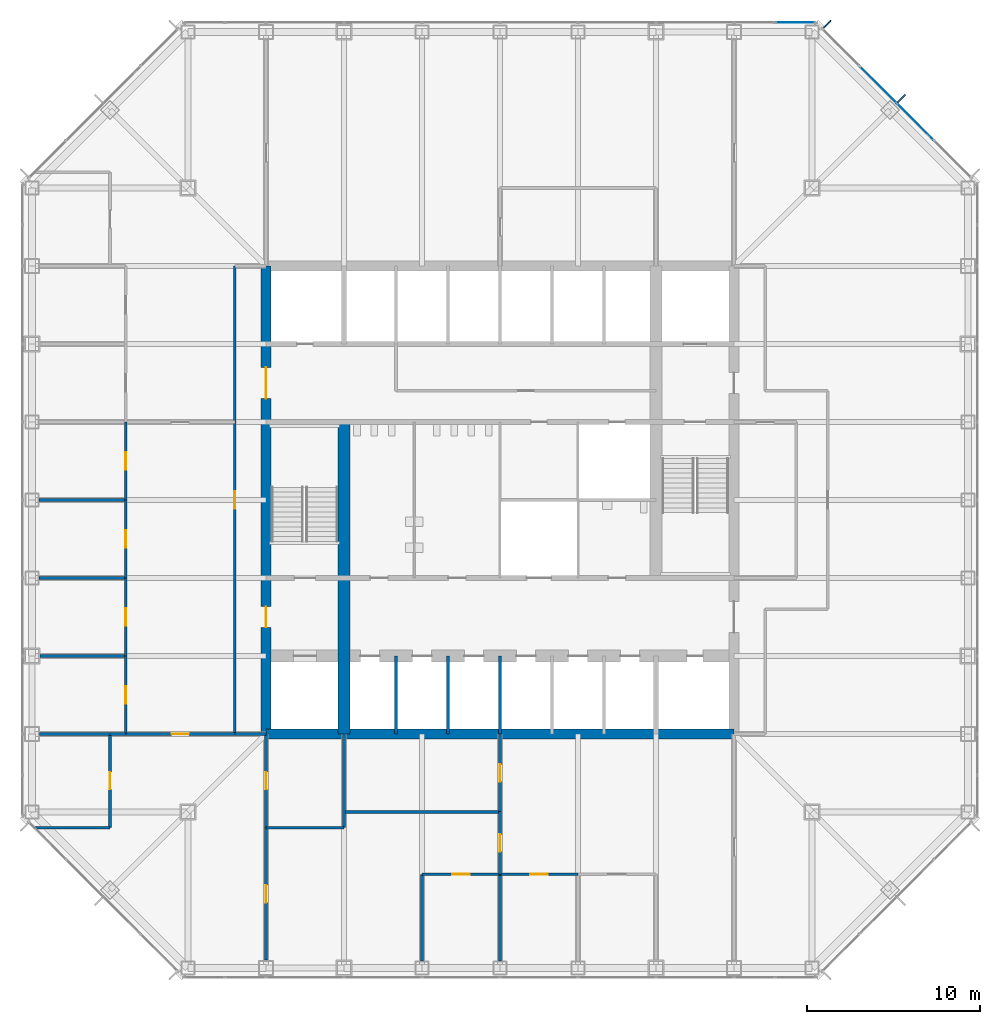
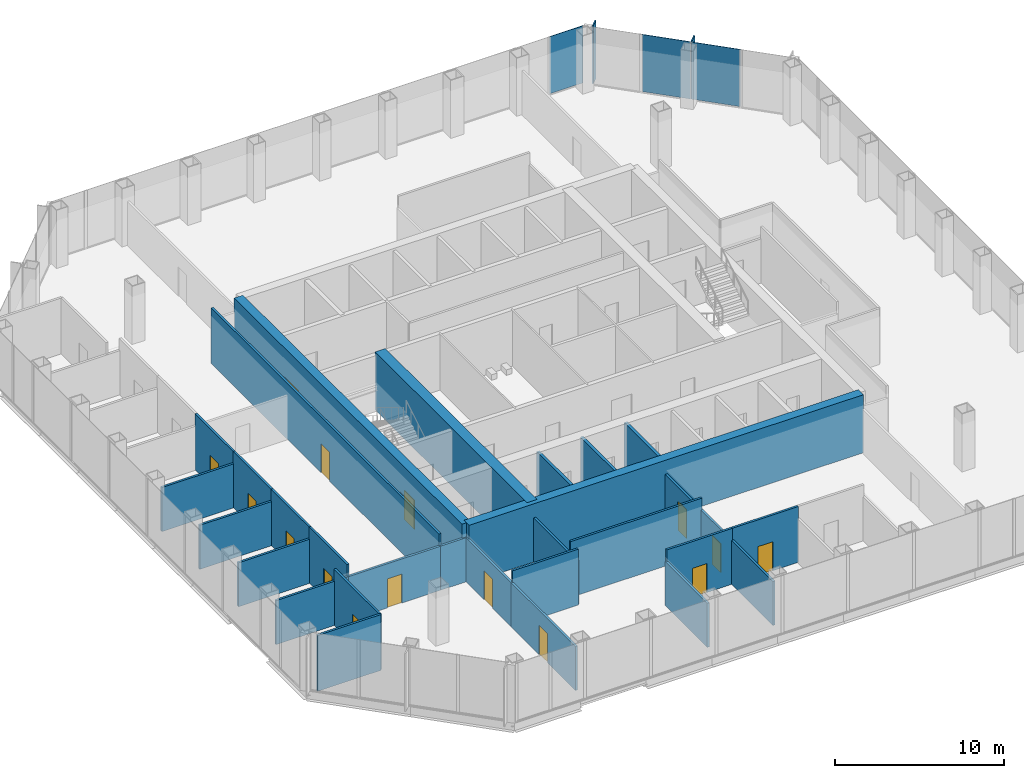
# One storey, part 8 of 12: 31 walls, 15 doors, 5 plates, 15 openings, 2 elements without a shape of their own.
"""IFC4 building model written with IfcOpenShell, lengths in metres."""

from ifc_helpers import new_model, si_unit, direction, frame, frame_2d, origin, origin_2d, place, context, subcontext, project, spatial, rectangle, extrude, material, layer, layer_set, type_object, element, fill, aggregate, save


model = new_model("IFC4")

# Units and contexts
model_context = context("Model", 3, precision=1e-05, world=origin(), true_north=direction((0.0, 1.0)))
body_context = subcontext(model_context, "Body", "Model", "MODEL_VIEW")
ifc_project = project(units=[si_unit("LENGTHUNIT", "METRE"), si_unit("AREAUNIT", "SQUARE_METRE"), si_unit("VOLUMEUNIT", "CUBIC_METRE"), si_unit("PLANEANGLEUNIT", "RADIAN"), si_unit("MASSUNIT", "GRAM", prefix="KILO")], contexts=[model_context])

# Site, building, storey
site_placement = place(None, origin())
site = spatial("IfcSite", under=ifc_project, at=site_placement, CompositionType="ELEMENT")
building_placement = place(site_placement, origin())
building = spatial("IfcBuilding", under=site, at=building_placement, Name="Corais Broadcast Tower", CompositionType="ELEMENT")
storey_placement = place(building_placement, frame((0.0, 0.0, 92.0)))
storey = spatial("IfcBuildingStorey", under=building, at=storey_placement, Name="L20", CompositionType="ELEMENT", Elevation=92.0)

# Curtain wall, plate
ifc_material_1 = material(Name="Aluminium and glass", Category="aluminium")
curtain_wall_type = type_object("IfcCurtainWallType", Name="Unitised fritted curtain wall CW1", PredefinedType="NOTDEFINED", material=ifc_material_1)
curtain_wall_1_placement = place(storey_placement, origin())
curtain_wall_1 = element("IfcCurtainWall", 1, at=curtain_wall_1_placement, inside=storey, type_object=curtain_wall_type, Name="CW1 curtain wall L20 5", PredefinedType="NOTDEFINED")
ifc_material_2 = material(Name="Ceramic-fritted laminated glass", Category="glass")
ifc_layer_1 = layer(ifc_material_2, 0.030029296875)
ifc_layer_set_1 = layer_set([ifc_layer_1], Name="Ceramic-fritted laminated glass")
plate_type_1 = type_object("IfcPlateType", Name="Fritted glass panel CW1", PredefinedType="CURTAIN_PANEL", material=ifc_layer_set_1)
plate_1_placement = place(storey_placement, frame((50.9658203125, 48.81201171875, 0.06494140625), z_axis=(0.0, 0.0, 1.0), x_axis=(0.707106781187, -0.707106781187, 0.0)))
plate_1 = element("IfcPlate", 2, at=plate_1_placement, type_object=plate_type_1, Name="CW1 panel 3", PredefinedType="CURTAIN_PANEL", context=body_context, shape_type="SweptSolid", body=[
    extrude(rectangle(XDim=2.98095703125, YDim=0.030029296875, at=origin_2d()), origin(), (0.0, 0.0, 1.0), 4.135009765625),
])

curtain_wall_2_placement = place(storey_placement, origin())
curtain_wall_2 = element("IfcCurtainWall", 3, at=curtain_wall_2_placement, inside=storey, type_object=curtain_wall_type, Name="CW1 curtain wall L20 4", PredefinedType="NOTDEFINED")
ifc_material_3 = material(Name="Clear laminated glass", Category="glass")
ifc_layer_2 = layer(ifc_material_3, 0.033935546875)
ifc_layer_set_2 = layer_set([ifc_layer_2], Name="Clear laminated glass")
plate_type_2 = type_object("IfcPlateType", Name="Operable glass panel CW1", PredefinedType="CURTAIN_PANEL", material=ifc_layer_set_2)
plate_2_placement = place(storey_placement, frame((44.029541015625, 54.550048828125, 0.06494140625), z_axis=(0.0, 0.0, 1.0), x_axis=(1.0, 0.0, 0.0)))
plate_2 = element("IfcPlate", 4, at=plate_2_placement, type_object=plate_type_2, Name="CW1 operable panel 10", PredefinedType="CURTAIN_PANEL", context=body_context, shape_type="SweptSolid", body=[
    extrude(rectangle(XDim=2.266357421875, YDim=0.033935546875, at=origin_2d()), origin(), (0.0, 0.0, 1.0), 4.135009765625),
])
aggregate(curtain_wall_2, [plate_2])

# Plate
plate_3_placement = place(storey_placement, frame((48.81201171875, 50.9658203125, 0.06494140625), z_axis=(0.0, 0.0, 1.0), x_axis=(0.707106781187, -0.707106781187, 0.0)))
plate_3 = element("IfcPlate", 5, at=plate_3_placement, type_object=plate_type_2, Name="CW1 operable panel 2", PredefinedType="CURTAIN_PANEL", context=body_context, shape_type="SweptSolid", body=[
    extrude(rectangle(XDim=2.98095703125, YDim=0.033935546875, at=origin_2d()), origin(), (0.0, 0.0, 1.0), 4.135009765625),
])

aggregate(curtain_wall_1, [plate_3, plate_1])

# Plates
ifc_material_4 = material(Name="Granite stone cladding", Category="masonry")
ifc_layer_3 = layer(ifc_material_4, 0.080078125)
ifc_layer_set_3 = layer_set([ifc_layer_3], Name="Granite stone cladding")
plate_type_3 = type_object("IfcPlateType", Name="Stone screen fin 80x600", PredefinedType="USERDEFINED", material=ifc_layer_set_3)
for number, where, z_axis, x_axis, name in (
    (6, (45.885009765625, 54.4541015625, 0.0), (0.0, 0.0, 1.0), (0.707106781187, -0.707106781187, 0.0), "SF1 stone screen fin L20"),
    (7, (50.169677734375, 50.169677734375, 0.0), (0.0, 0.0, 1.0), (0.707106781187, -0.707106781187, 0.0), "SF1 stone screen fin L20"),
):
    element("IfcPlate", number, at=place(storey_placement, frame(where, z_axis=z_axis, x_axis=x_axis)), inside=storey, type_object=plate_type_3, Name=name, ObjectType="STONE SCREEN FIN", PredefinedType="USERDEFINED", context=body_context, shape_type="SweptSolid", body=[
        extrude(rectangle(XDim=0.080078125, YDim=0.60009765625, at=origin_2d()), origin(), (0.0, 0.0, 1.0), 4.199951171875),
    ])

# Walls
ifc_material_5 = material(Name="Concrete C50/60", Category="concrete")
ifc_layer_4 = layer(ifc_material_5, 0.699951171875)
ifc_layer_set_4 = layer_set([ifc_layer_4], Name="Concrete C50/60")
wall_type_1 = type_object("IfcWallType", Name="Core spine wall 700", PredefinedType="SHEAR", material=ifc_layer_set_4)
wall_1_placement = place(storey_placement, frame((18.0, 13.5, 0.0), z_axis=(0.0, 0.0, 1.0), x_axis=(0.0, 1.0, 0.0)))
element("IfcWall", 8, at=wall_1_placement, inside=storey, type_object=wall_type_1, Name="CR700 core wall X18A L20", PredefinedType="SHEAR", context=body_context, shape_type="SweptSolid", body=[
    extrude(rectangle(XDim=18.0, YDim=0.699951171875, at=frame_2d((9.0, 0.0))), origin(), (0.0, 0.0, 1.0), 4.199951171875),
])
ifc_material_6 = material(Name="Concrete C50/60", Category="concrete")
ifc_layer_5 = layer(ifc_material_6, 0.60009765625)
ifc_layer_set_5 = layer_set([ifc_layer_5], Name="Concrete C50/60")
wall_type_2 = type_object("IfcWallType", Name="Core wall 600", PredefinedType="SHEAR", material=ifc_layer_set_5)
wall_2_placement = place(storey_placement, frame((13.5, 13.5, 0.0), z_axis=(0.0, 0.0, 1.0), x_axis=(1.0, 0.0, 0.0)))
element("IfcWall", 9, at=wall_2_placement, inside=storey, type_object=wall_type_2, Name="CR600 core wall S L20", PredefinedType="SHEAR", context=body_context, shape_type="SweptSolid", body=[
    extrude(rectangle(XDim=27.0, YDim=0.60009765625, at=frame_2d((13.5, 0.0))), origin(), (0.0, 0.0, 1.0), 4.199951171875),
])

# Wall, openings, doors
wall_3_placement = place(storey_placement, frame((13.5, 40.5, 0.0), z_axis=(0.0, 0.0, 1.0), x_axis=(0.0, -1.0, 0.0)))
wall_3 = element("IfcWall", 10, at=wall_3_placement, inside=storey, type_object=wall_type_2, Name="CR600 core wall W L20", PredefinedType="SHEAR", context=body_context, shape_type="SweptSolid", body=[
    extrude(rectangle(XDim=27.0, YDim=0.60009765625, at=frame_2d((13.5, 0.0))), origin(), (0.0, 0.0, 1.0), 4.199951171875),
])
opening_1_placement = place(wall_3_placement, frame((19.64990234375, 0.0, 0.0)))
opening_1 = element("IfcOpeningElement", 11, at=opening_1_placement, cuts=wall_3, Name="Opening FD1", PredefinedType="OPENING", context=body_context, shape_type="SweptSolid", body=[
    extrude(rectangle(XDim=1.199951171875, YDim=2.10009765625, at=frame_2d((0.60009765625, 1.050048828125))), frame((0.0, 0.31005859375, 0.0), z_axis=(0.0, -1.0, 0.0), x_axis=(1.0, 0.0, 0.0)), (0.0, 0.0, 1.0), 0.6201171875),
])
opening_2_placement = place(wall_3_placement, frame((5.85009765625, 0.0, 0.0)))
opening_2 = element("IfcOpeningElement", 12, at=opening_2_placement, cuts=wall_3, Name="Opening FD2", PredefinedType="OPENING", context=body_context, shape_type="SweptSolid", body=[
    extrude(rectangle(XDim=1.800048828125, YDim=2.10009765625, at=frame_2d((0.89990234375, 1.050048828125))), frame((0.0, 0.31005859375, 0.0), z_axis=(0.0, -1.0, 0.0), x_axis=(1.0, 0.0, 0.0)), (0.0, 0.0, 1.0), 0.6201171875),
])
ifc_material_7 = material(Name="Steel fire door", Category="steel")
door_type_1 = type_object("IfcDoorType", Name="Fire door 1200x2100", OperationType="SINGLE_SWING_LEFT", PredefinedType="DOOR", material=ifc_material_7)
door_1_placement = place(opening_1_placement, origin())
door_1 = element("IfcDoor", 13, at=door_1_placement, inside=storey, type_object=door_type_1, Name="FD1 fire lobby A door L20", OperationType="SINGLE_SWING_RIGHT", OverallHeight=2.10009765625, OverallWidth=1.199951171875, PredefinedType="DOOR", context=body_context, shape_type="SweptSolid", body=[
    extrude(rectangle(XDim=1.199951171875, YDim=2.10009765625, at=frame_2d((0.60009765625, 1.050048828125))), frame((0.0, 0.02490234375, 0.0), z_axis=(0.0, -1.0, 0.0), x_axis=(1.0, 0.0, 0.0)), (0.0, 0.0, 1.0), 0.050048828125),
])
fill(opening_1, door_1)
ifc_material_8 = material(Name="Steel fire door", Category="steel")
door_type_2 = type_object("IfcDoorType", Name="Fire door pair 1800x2100", OperationType="DOUBLE_DOOR_SINGLE_SWING", PredefinedType="DOOR", material=ifc_material_8)
door_2_placement = place(opening_2_placement, origin())
door_2 = element("IfcDoor", 14, at=door_2_placement, inside=storey, type_object=door_type_2, Name="FD2 lift lobby door L20", OperationType="SINGLE_SWING_LEFT", OverallHeight=2.10009765625, OverallWidth=1.800048828125, PredefinedType="DOOR", context=body_context, shape_type="SweptSolid", body=[
    extrude(rectangle(XDim=1.800048828125, YDim=2.10009765625, at=frame_2d((0.89990234375, 1.050048828125))), frame((0.0, 0.02490234375, 0.0), z_axis=(0.0, -1.0, 0.0), x_axis=(1.0, 0.0, 0.0)), (0.0, 0.0, 1.0), 0.050048828125),
])
fill(opening_2, door_2)

# Wall, opening, door
ifc_material_9 = material(Name="Gypsum board on steel studs", Category="steel")
ifc_layer_6 = layer(ifc_material_9, 0.14990234375)
ifc_layer_set_6 = layer_set([ifc_layer_6], Name="Gypsum board on steel studs")
wall_type_3 = type_object("IfcWallType", Name="Partition 150", PredefinedType="PARTITIONING", material=ifc_layer_set_6)
wall_4_placement = place(storey_placement, frame((11.699951171875, 40.5, 0.0), z_axis=(0.0, 0.0, 1.0), x_axis=(0.0, -1.0, 0.0)))
wall_4 = element("IfcWall", 15, at=wall_4_placement, inside=storey, type_object=wall_type_3, Name="IW3 corridor wall L20", PredefinedType="PARTITIONING", context=body_context, shape_type="SweptSolid", body=[
    extrude(rectangle(XDim=27.0, YDim=0.14990234375, at=frame_2d((13.5, 0.0))), origin(), (0.0, 0.0, 1.0), 4.0400390625),
])
opening_3_placement = place(wall_4_placement, frame((13.0, 0.0, 0.0)))
opening_3 = element("IfcOpeningElement", 16, at=opening_3_placement, cuts=wall_4, Name="Opening D1", PredefinedType="OPENING", context=body_context, shape_type="SweptSolid", body=[
    extrude(rectangle(XDim=1.0, YDim=2.10009765625, at=frame_2d((0.5, 1.050048828125))), frame((0.0, 0.0849609375, 0.0), z_axis=(0.0, -1.0, 0.0), x_axis=(1.0, 0.0, 0.0)), (0.0, 0.0, 1.0), 0.169921875),
])
ifc_material_10 = material(Name="Timber door", Category="wood")
door_type_3 = type_object("IfcDoorType", Name="Single door 1000x2100", OperationType="SINGLE_SWING_LEFT", PredefinedType="DOOR", material=ifc_material_10)
door_3_placement = place(opening_3_placement, origin())
door_3 = element("IfcDoor", 17, at=door_3_placement, inside=storey, type_object=door_type_3, Name="D1 workplace door L20", OperationType="SINGLE_SWING_LEFT", OverallHeight=2.10009765625, OverallWidth=1.0, PredefinedType="DOOR", context=body_context, shape_type="SweptSolid", body=[
    extrude(rectangle(XDim=1.0, YDim=2.10009765625, at=frame_2d((0.5, 1.050048828125))), frame((0.0, 0.02490234375, 0.0), z_axis=(0.0, -1.0, 0.0), x_axis=(1.0, 0.0, 0.0)), (0.0, 0.0, 1.0), 0.050048828125),
])
fill(opening_3, door_3)

# Walls
wall_5_placement = place(storey_placement, frame((11.699951171875, 13.5, 0.0), z_axis=(0.0, 0.0, 1.0), x_axis=(1.0, 0.0, 0.0)))
element("IfcWall", 18, at=wall_5_placement, inside=storey, type_object=wall_type_3, Name="IW3 corridor wall L20", PredefinedType="PARTITIONING", context=body_context, shape_type="SweptSolid", body=[
    extrude(rectangle(XDim=1.800048828125, YDim=0.14990234375, at=frame_2d((0.89990234375, 0.0))), origin(), (0.0, 0.0, 1.0), 3.18896484375),
])
wall_6_placement = place(storey_placement, frame((0.16455078125, 8.10009765625, 0.0), z_axis=(0.0, 0.0, 1.0), x_axis=(1.0, 0.0, 0.0)))
element("IfcWall", 19, at=wall_6_placement, inside=storey, type_object=wall_type_3, Name="IW3 partition L20", PredefinedType="PARTITIONING", context=body_context, shape_type="SweptSolid", body=[
    extrude(rectangle(XDim=4.33544921875, YDim=0.14990234375, at=frame_2d((2.167724609375, 0.0))), origin(), (0.0, 0.0, 1.0), 4.0400390625),
])

# Wall, opening, door
wall_7_placement = place(storey_placement, frame((4.5, 8.10009765625, 0.0), z_axis=(0.0, 0.0, 1.0), x_axis=(0.0, 1.0, 0.0)))
wall_7 = element("IfcWall", 20, at=wall_7_placement, inside=storey, type_object=wall_type_3, Name="IW3 partition L20", PredefinedType="PARTITIONING", context=body_context, shape_type="SweptSolid", body=[
    extrude(rectangle(XDim=5.39990234375, YDim=0.14990234375, at=frame_2d((2.699951171875, 0.0))), origin(), (0.0, 0.0, 1.0), 4.0400390625),
])
opening_4_placement = place(wall_7_placement, frame((2.199951171875, 0.0, 0.0)))
opening_4 = element("IfcOpeningElement", 21, at=opening_4_placement, cuts=wall_7, Name="Opening D1", PredefinedType="OPENING", context=body_context, shape_type="SweptSolid", body=[
    extrude(rectangle(XDim=1.0, YDim=2.10009765625, at=frame_2d((0.5, 1.050048828125))), frame((0.0, 0.0849609375, 0.0), z_axis=(0.0, -1.0, 0.0), x_axis=(1.0, 0.0, 0.0)), (0.0, 0.0, 1.0), 0.169921875),
])
door_4_placement = place(opening_4_placement, origin())
door_4 = element("IfcDoor", 22, at=door_4_placement, inside=storey, type_object=door_type_3, Name="D1 Office door", OperationType="SINGLE_SWING_LEFT", OverallHeight=2.10009765625, OverallWidth=1.0, PredefinedType="DOOR", context=body_context, shape_type="SweptSolid", body=[
    extrude(rectangle(XDim=1.0, YDim=2.10009765625, at=frame_2d((0.5, 1.050048828125))), frame((0.0, 0.02490234375, 0.0), z_axis=(0.0, -1.0, 0.0), x_axis=(1.0, 0.0, 0.0)), (0.0, 0.0, 1.0), 0.050048828125),
])
fill(opening_4, door_4)

# Walls
wall_8_placement = place(storey_placement, frame((4.5, 13.5, 0.0), z_axis=(0.0, 0.0, 1.0), x_axis=(-1.0, 0.0, 0.0)))
element("IfcWall", 23, at=wall_8_placement, inside=storey, type_object=wall_type_3, Name="IW3 partition L20", PredefinedType="PARTITIONING", context=body_context, shape_type="SweptSolid", body=[
    extrude(rectangle(XDim=4.06494140625, YDim=0.14990234375, at=frame_2d((2.032470703125, 0.0))), origin(), (0.0, 0.0, 1.0), 3.18896484375),
])
wall_9_placement = place(storey_placement, frame((4.5, 13.5, 0.0), z_axis=(0.0, 0.0, 1.0), x_axis=(1.0, 0.0, 0.0)))
element("IfcWall", 24, at=wall_9_placement, inside=storey, type_object=wall_type_3, Name="IW3 partition L20", PredefinedType="PARTITIONING", context=body_context, shape_type="SweptSolid", body=[
    extrude(rectangle(XDim=0.89990234375, YDim=0.14990234375, at=frame_2d((0.449951171875, 0.0))), origin(), (0.0, 0.0, 1.0), 3.18896484375),
])

# Wall, opening, door
wall_10_placement = place(storey_placement, frame((5.39990234375, 13.5, 0.0), z_axis=(0.0, 0.0, 1.0), x_axis=(0.0, 1.0, 0.0)))
wall_10 = element("IfcWall", 25, at=wall_10_placement, inside=storey, type_object=wall_type_3, Name="IW3 partition L20", PredefinedType="PARTITIONING", context=body_context, shape_type="SweptSolid", body=[
    extrude(rectangle(XDim=4.5, YDim=0.14990234375, at=frame_2d((2.25, 0.0))), origin(), (0.0, 0.0, 1.0), 4.0400390625),
])
opening_5_placement = place(wall_10_placement, frame((1.75, 0.0, 0.0)))
opening_5 = element("IfcOpeningElement", 26, at=opening_5_placement, cuts=wall_10, Name="Opening D1", PredefinedType="OPENING", context=body_context, shape_type="SweptSolid", body=[
    extrude(rectangle(XDim=1.0, YDim=2.10009765625, at=frame_2d((0.5, 1.050048828125))), frame((0.0, 0.0849609375, 0.0), z_axis=(0.0, -1.0, 0.0), x_axis=(1.0, 0.0, 0.0)), (0.0, 0.0, 1.0), 0.169921875),
])
door_5_placement = place(opening_5_placement, origin())
door_5 = element("IfcDoor", 27, at=door_5_placement, inside=storey, type_object=door_type_3, Name="D1 Office door", OperationType="SINGLE_SWING_LEFT", OverallHeight=2.10009765625, OverallWidth=1.0, PredefinedType="DOOR", context=body_context, shape_type="SweptSolid", body=[
    extrude(rectangle(XDim=1.0, YDim=2.10009765625, at=frame_2d((0.5, 1.050048828125))), frame((0.0, 0.02490234375, 0.0), z_axis=(0.0, -1.0, 0.0), x_axis=(1.0, 0.0, 0.0)), (0.0, 0.0, 1.0), 0.050048828125),
])
fill(opening_5, door_5)

# Wall
wall_11_placement = place(storey_placement, frame((5.39990234375, 18.0, 0.0), z_axis=(0.0, 0.0, 1.0), x_axis=(-1.0, 0.0, 0.0)))
element("IfcWall", 28, at=wall_11_placement, inside=storey, type_object=wall_type_3, Name="IW3 partition L20", PredefinedType="PARTITIONING", context=body_context, shape_type="SweptSolid", body=[
    extrude(rectangle(XDim=4.93994140625, YDim=0.14990234375, at=frame_2d((2.469970703125, 0.0))), origin(), (0.0, 0.0, 1.0), 3.18896484375),
])

# Wall, opening, door
wall_12_placement = place(storey_placement, frame((5.39990234375, 18.0, 0.0), z_axis=(0.0, 0.0, 1.0), x_axis=(0.0, 1.0, 0.0)))
wall_12 = element("IfcWall", 29, at=wall_12_placement, inside=storey, type_object=wall_type_3, Name="IW3 partition L20", PredefinedType="PARTITIONING", context=body_context, shape_type="SweptSolid", body=[
    extrude(rectangle(XDim=4.5, YDim=0.14990234375, at=frame_2d((2.25, 0.0))), origin(), (0.0, 0.0, 1.0), 4.0400390625),
])
opening_6_placement = place(wall_12_placement, frame((1.75, 0.0, 0.0)))
opening_6 = element("IfcOpeningElement", 30, at=opening_6_placement, cuts=wall_12, Name="Opening D1", PredefinedType="OPENING", context=body_context, shape_type="SweptSolid", body=[
    extrude(rectangle(XDim=1.0, YDim=2.10009765625, at=frame_2d((0.5, 1.050048828125))), frame((0.0, 0.0849609375, 0.0), z_axis=(0.0, -1.0, 0.0), x_axis=(1.0, 0.0, 0.0)), (0.0, 0.0, 1.0), 0.169921875),
])
door_6_placement = place(opening_6_placement, origin())
door_6 = element("IfcDoor", 31, at=door_6_placement, inside=storey, type_object=door_type_3, Name="D1 Office door", OperationType="SINGLE_SWING_LEFT", OverallHeight=2.10009765625, OverallWidth=1.0, PredefinedType="DOOR", context=body_context, shape_type="SweptSolid", body=[
    extrude(rectangle(XDim=1.0, YDim=2.10009765625, at=frame_2d((0.5, 1.050048828125))), frame((0.0, 0.02490234375, 0.0), z_axis=(0.0, -1.0, 0.0), x_axis=(1.0, 0.0, 0.0)), (0.0, 0.0, 1.0), 0.050048828125),
])
fill(opening_6, door_6)

# Wall
wall_13_placement = place(storey_placement, frame((5.39990234375, 22.5, 0.0), z_axis=(0.0, 0.0, 1.0), x_axis=(-1.0, 0.0, 0.0)))
element("IfcWall", 32, at=wall_13_placement, inside=storey, type_object=wall_type_3, Name="IW3 partition L20", PredefinedType="PARTITIONING", context=body_context, shape_type="SweptSolid", body=[
    extrude(rectangle(XDim=4.989990234375, YDim=0.14990234375, at=frame_2d((2.4951171875, 0.0))), origin(), (0.0, 0.0, 1.0), 3.18896484375),
])

# Wall, opening, door
wall_14_placement = place(storey_placement, frame((5.39990234375, 22.5, 0.0), z_axis=(0.0, 0.0, 1.0), x_axis=(0.0, 1.0, 0.0)))
wall_14 = element("IfcWall", 33, at=wall_14_placement, inside=storey, type_object=wall_type_3, Name="IW3 partition L20", PredefinedType="PARTITIONING", context=body_context, shape_type="SweptSolid", body=[
    extrude(rectangle(XDim=4.5, YDim=0.14990234375, at=frame_2d((2.25, 0.0))), origin(), (0.0, 0.0, 1.0), 4.0400390625),
])
opening_7_placement = place(wall_14_placement, frame((1.75, 0.0, 0.0)))
opening_7 = element("IfcOpeningElement", 34, at=opening_7_placement, cuts=wall_14, Name="Opening D1", PredefinedType="OPENING", context=body_context, shape_type="SweptSolid", body=[
    extrude(rectangle(XDim=1.0, YDim=2.10009765625, at=frame_2d((0.5, 1.050048828125))), frame((0.0, 0.0849609375, 0.0), z_axis=(0.0, -1.0, 0.0), x_axis=(1.0, 0.0, 0.0)), (0.0, 0.0, 1.0), 0.169921875),
])
door_7_placement = place(opening_7_placement, origin())
door_7 = element("IfcDoor", 35, at=door_7_placement, inside=storey, type_object=door_type_3, Name="D1 Office door", OperationType="SINGLE_SWING_LEFT", OverallHeight=2.10009765625, OverallWidth=1.0, PredefinedType="DOOR", context=body_context, shape_type="SweptSolid", body=[
    extrude(rectangle(XDim=1.0, YDim=2.10009765625, at=frame_2d((0.5, 1.050048828125))), frame((0.0, 0.02490234375, 0.0), z_axis=(0.0, -1.0, 0.0), x_axis=(1.0, 0.0, 0.0)), (0.0, 0.0, 1.0), 0.050048828125),
])
fill(opening_7, door_7)

# Wall
wall_15_placement = place(storey_placement, frame((5.39990234375, 27.0, 0.0), z_axis=(0.0, 0.0, 1.0), x_axis=(-1.0, 0.0, 0.0)))
element("IfcWall", 36, at=wall_15_placement, inside=storey, type_object=wall_type_3, Name="IW3 partition L20", PredefinedType="PARTITIONING", context=body_context, shape_type="SweptSolid", body=[
    extrude(rectangle(XDim=4.989990234375, YDim=0.14990234375, at=frame_2d((2.4951171875, 0.0))), origin(), (0.0, 0.0, 1.0), 3.18896484375),
])

# Wall, opening, door
wall_16_placement = place(storey_placement, frame((5.39990234375, 27.0, 0.0), z_axis=(0.0, 0.0, 1.0), x_axis=(0.0, 1.0, 0.0)))
wall_16 = element("IfcWall", 37, at=wall_16_placement, inside=storey, type_object=wall_type_3, Name="IW3 partition L20", PredefinedType="PARTITIONING", context=body_context, shape_type="SweptSolid", body=[
    extrude(rectangle(XDim=4.5, YDim=0.14990234375, at=frame_2d((2.25, 0.0))), origin(), (0.0, 0.0, 1.0), 4.0400390625),
])
opening_8_placement = place(wall_16_placement, frame((1.75, 0.0, 0.0)))
opening_8 = element("IfcOpeningElement", 38, at=opening_8_placement, cuts=wall_16, Name="Opening D1", PredefinedType="OPENING", context=body_context, shape_type="SweptSolid", body=[
    extrude(rectangle(XDim=1.0, YDim=2.10009765625, at=frame_2d((0.5, 1.050048828125))), frame((0.0, 0.0849609375, 0.0), z_axis=(0.0, -1.0, 0.0), x_axis=(1.0, 0.0, 0.0)), (0.0, 0.0, 1.0), 0.169921875),
])
door_8_placement = place(opening_8_placement, origin())
door_8 = element("IfcDoor", 39, at=door_8_placement, inside=storey, type_object=door_type_3, Name="D1 Office door", OperationType="SINGLE_SWING_LEFT", OverallHeight=2.10009765625, OverallWidth=1.0, PredefinedType="DOOR", context=body_context, shape_type="SweptSolid", body=[
    extrude(rectangle(XDim=1.0, YDim=2.10009765625, at=frame_2d((0.5, 1.050048828125))), frame((0.0, 0.02490234375, 0.0), z_axis=(0.0, -1.0, 0.0), x_axis=(1.0, 0.0, 0.0)), (0.0, 0.0, 1.0), 0.050048828125),
])
fill(opening_8, door_8)

# Wall
wall_17_placement = place(storey_placement, frame((27.0, 0.409912109375, 0.0), z_axis=(0.0, 0.0, 1.0), x_axis=(0.0, 1.0, 0.0)))
element("IfcWall", 40, at=wall_17_placement, inside=storey, type_object=wall_type_3, Name="IW3 partition L20", PredefinedType="PARTITIONING", context=body_context, shape_type="SweptSolid", body=[
    extrude(rectangle(XDim=4.989990234375, YDim=0.14990234375, at=frame_2d((2.4951171875, 0.0))), origin(), (0.0, 0.0, 1.0), 3.18896484375),
])

# Wall, opening, door
wall_18_placement = place(storey_placement, frame((27.0, 5.39990234375, 0.0), z_axis=(0.0, 0.0, 1.0), x_axis=(-1.0, 0.0, 0.0)))
wall_18 = element("IfcWall", 41, at=wall_18_placement, inside=storey, type_object=wall_type_3, Name="IW3 partition L20", PredefinedType="PARTITIONING", context=body_context, shape_type="SweptSolid", body=[
    extrude(rectangle(XDim=4.5, YDim=0.14990234375, at=frame_2d((2.25, 0.0))), origin(), (0.0, 0.0, 1.0), 4.0400390625),
])
opening_9_placement = place(wall_18_placement, frame((1.75, 0.0, 0.0)))
opening_9 = element("IfcOpeningElement", 42, at=opening_9_placement, cuts=wall_18, Name="Opening D1", PredefinedType="OPENING", context=body_context, shape_type="SweptSolid", body=[
    extrude(rectangle(XDim=1.0, YDim=2.10009765625, at=frame_2d((0.5, 1.050048828125))), frame((0.0, 0.0849609375, 0.0), z_axis=(0.0, -1.0, 0.0), x_axis=(1.0, 0.0, 0.0)), (0.0, 0.0, 1.0), 0.169921875),
])
door_9_placement = place(opening_9_placement, origin())
door_9 = element("IfcDoor", 43, at=door_9_placement, inside=storey, type_object=door_type_3, Name="D1 Interview room door", OperationType="SINGLE_SWING_LEFT", OverallHeight=2.10009765625, OverallWidth=1.0, PredefinedType="DOOR", context=body_context, shape_type="SweptSolid", body=[
    extrude(rectangle(XDim=1.0, YDim=2.10009765625, at=frame_2d((0.5, 1.050048828125))), frame((0.0, 0.02490234375, 0.0), z_axis=(0.0, -1.0, 0.0), x_axis=(1.0, 0.0, 0.0)), (0.0, 0.0, 1.0), 0.050048828125),
])
fill(opening_9, door_9)

# Wall
wall_19_placement = place(storey_placement, frame((22.5, 5.39990234375, 0.0), z_axis=(0.0, 0.0, 1.0), x_axis=(0.0, -1.0, 0.0)))
element("IfcWall", 44, at=wall_19_placement, inside=storey, type_object=wall_type_3, Name="IW3 partition L20", PredefinedType="PARTITIONING", context=body_context, shape_type="SweptSolid", body=[
    extrude(rectangle(XDim=4.989990234375, YDim=0.14990234375, at=frame_2d((2.4951171875, 0.0))), origin(), (0.0, 0.0, 1.0), 3.18896484375),
])

# Wall, opening, door
wall_20_placement = place(storey_placement, frame((31.5, 5.39990234375, 0.0), z_axis=(0.0, 0.0, 1.0), x_axis=(-1.0, 0.0, 0.0)))
wall_20 = element("IfcWall", 45, at=wall_20_placement, inside=storey, type_object=wall_type_3, Name="IW3 partition L20", PredefinedType="PARTITIONING", context=body_context, shape_type="SweptSolid", body=[
    extrude(rectangle(XDim=4.5, YDim=0.14990234375, at=frame_2d((2.25, 0.0))), origin(), (0.0, 0.0, 1.0), 4.0400390625),
])
opening_10_placement = place(wall_20_placement, frame((1.75, 0.0, 0.0)))
opening_10 = element("IfcOpeningElement", 46, at=opening_10_placement, cuts=wall_20, Name="Opening D1", PredefinedType="OPENING", context=body_context, shape_type="SweptSolid", body=[
    extrude(rectangle(XDim=1.0, YDim=2.10009765625, at=frame_2d((0.5, 1.050048828125))), frame((0.0, 0.0849609375, 0.0), z_axis=(0.0, -1.0, 0.0), x_axis=(1.0, 0.0, 0.0)), (0.0, 0.0, 1.0), 0.169921875),
])
door_10_placement = place(opening_10_placement, origin())
door_10 = element("IfcDoor", 47, at=door_10_placement, inside=storey, type_object=door_type_3, Name="D1 Interview room door", OperationType="SINGLE_SWING_LEFT", OverallHeight=2.10009765625, OverallWidth=1.0, PredefinedType="DOOR", context=body_context, shape_type="SweptSolid", body=[
    extrude(rectangle(XDim=1.0, YDim=2.10009765625, at=frame_2d((0.5, 1.050048828125))), frame((0.0, 0.02490234375, 0.0), z_axis=(0.0, -1.0, 0.0), x_axis=(1.0, 0.0, 0.0)), (0.0, 0.0, 1.0), 0.050048828125),
])
fill(opening_10, door_10)

# Walls
wall_21_placement = place(storey_placement, frame((13.5, 8.10009765625, 0.0), z_axis=(0.0, 0.0, 1.0), x_axis=(1.0, 0.0, 0.0)))
element("IfcWall", 48, at=wall_21_placement, inside=storey, type_object=wall_type_3, Name="IW3 partition L20", PredefinedType="PARTITIONING", context=body_context, shape_type="SweptSolid", body=[
    extrude(rectangle(XDim=4.5, YDim=0.14990234375, at=frame_2d((2.25, 0.0))), origin(), (0.0, 0.0, 1.0), 4.0400390625),
])
wall_22_placement = place(storey_placement, frame((18.0, 8.10009765625, 0.0), z_axis=(0.0, 0.0, 1.0), x_axis=(0.0, 1.0, 0.0)))
element("IfcWall", 49, at=wall_22_placement, inside=storey, type_object=wall_type_3, Name="IW3 partition L20", PredefinedType="PARTITIONING", context=body_context, shape_type="SweptSolid", body=[
    extrude(rectangle(XDim=5.39990234375, YDim=0.14990234375, at=frame_2d((2.699951171875, 0.0))), origin(), (0.0, 0.0, 1.0), 3.18896484375),
])

# Wall, opening, door
wall_23_placement = place(storey_placement, frame((13.5, 13.5, 0.0), z_axis=(0.0, 0.0, 1.0), x_axis=(0.0, -1.0, 0.0)))
wall_23 = element("IfcWall", 50, at=wall_23_placement, inside=storey, type_object=wall_type_3, Name="IW3 partition L20", PredefinedType="PARTITIONING", context=body_context, shape_type="SweptSolid", body=[
    extrude(rectangle(XDim=5.39990234375, YDim=0.14990234375, at=frame_2d((2.699951171875, 0.0))), origin(), (0.0, 0.0, 1.0), 3.18896484375),
])
opening_11_placement = place(wall_23_placement, frame((2.199951171875, 0.0, 0.0)))
opening_11 = element("IfcOpeningElement", 51, at=opening_11_placement, cuts=wall_23, Name="Opening D1", PredefinedType="OPENING", context=body_context, shape_type="SweptSolid", body=[
    extrude(rectangle(XDim=1.0, YDim=2.10009765625, at=frame_2d((0.5, 1.050048828125))), frame((0.0, 0.0849609375, 0.0), z_axis=(0.0, -1.0, 0.0), x_axis=(1.0, 0.0, 0.0)), (0.0, 0.0, 1.0), 0.169921875),
])
door_11_placement = place(opening_11_placement, origin())
door_11 = element("IfcDoor", 52, at=door_11_placement, inside=storey, type_object=door_type_3, Name="D1 Meeting room door", OperationType="SINGLE_SWING_LEFT", OverallHeight=2.10009765625, OverallWidth=1.0, PredefinedType="DOOR", context=body_context, shape_type="SweptSolid", body=[
    extrude(rectangle(XDim=1.0, YDim=2.10009765625, at=frame_2d((0.5, 1.050048828125))), frame((0.0, 0.02490234375, 0.0), z_axis=(0.0, -1.0, 0.0), x_axis=(1.0, 0.0, 0.0)), (0.0, 0.0, 1.0), 0.050048828125),
])
fill(opening_11, door_11)

# Wall
wall_24_placement = place(storey_placement, frame((18.0, 9.0, 0.0), z_axis=(0.0, 0.0, 1.0), x_axis=(1.0, 0.0, 0.0)))
element("IfcWall", 53, at=wall_24_placement, inside=storey, type_object=wall_type_3, Name="IW3 partition L20", PredefinedType="PARTITIONING", context=body_context, shape_type="SweptSolid", body=[
    extrude(rectangle(XDim=9.0, YDim=0.14990234375, at=frame_2d((4.5, 0.0))), origin(), (0.0, 0.0, 1.0), 4.0400390625),
])

# Wall, opening, door
wall_25_placement = place(storey_placement, frame((27.0, 9.0, 0.0), z_axis=(0.0, 0.0, 1.0), x_axis=(0.0, 1.0, 0.0)))
wall_25 = element("IfcWall", 54, at=wall_25_placement, inside=storey, type_object=wall_type_3, Name="IW3 partition L20", PredefinedType="PARTITIONING", context=body_context, shape_type="SweptSolid", body=[
    extrude(rectangle(XDim=4.5, YDim=0.14990234375, at=frame_2d((2.25, 0.0))), origin(), (0.0, 0.0, 1.0), 3.18896484375),
])
opening_12_placement = place(wall_25_placement, frame((1.75, 0.0, 0.0)))
opening_12 = element("IfcOpeningElement", 55, at=opening_12_placement, cuts=wall_25, Name="Opening D1", PredefinedType="OPENING", context=body_context, shape_type="SweptSolid", body=[
    extrude(rectangle(XDim=1.0, YDim=2.10009765625, at=frame_2d((0.5, 1.050048828125))), frame((0.0, 0.0849609375, 0.0), z_axis=(0.0, -1.0, 0.0), x_axis=(1.0, 0.0, 0.0)), (0.0, 0.0, 1.0), 0.169921875),
])
door_12_placement = place(opening_12_placement, origin())
door_12 = element("IfcDoor", 56, at=door_12_placement, inside=storey, type_object=door_type_3, Name="D1 Legal reading room door", OperationType="SINGLE_SWING_LEFT", OverallHeight=2.10009765625, OverallWidth=1.0, PredefinedType="DOOR", context=body_context, shape_type="SweptSolid", body=[
    extrude(rectangle(XDim=1.0, YDim=2.10009765625, at=frame_2d((0.5, 1.050048828125))), frame((0.0, 0.02490234375, 0.0), z_axis=(0.0, -1.0, 0.0), x_axis=(1.0, 0.0, 0.0)), (0.0, 0.0, 1.0), 0.050048828125),
])
fill(opening_12, door_12)

wall_26_placement = place(storey_placement, frame((27.0, 5.39990234375, 0.0), z_axis=(0.0, 0.0, 1.0), x_axis=(0.0, 1.0, 0.0)))
wall_26 = element("IfcWall", 57, at=wall_26_placement, inside=storey, type_object=wall_type_3, Name="IW3 partition L20", PredefinedType="PARTITIONING", context=body_context, shape_type="SweptSolid", body=[
    extrude(rectangle(XDim=3.6201171875, YDim=0.14990234375, at=frame_2d((1.81005859375, 0.0))), origin(), (0.0, 0.0, 1.0), 3.18896484375),
])
opening_13_placement = place(wall_26_placement, frame((1.31005859375, 0.0, 0.0)))
opening_13 = element("IfcOpeningElement", 58, at=opening_13_placement, cuts=wall_26, Name="Opening D1", PredefinedType="OPENING", context=body_context, shape_type="SweptSolid", body=[
    extrude(rectangle(XDim=1.0, YDim=2.10009765625, at=frame_2d((0.5, 1.050048828125))), frame((0.0, 0.0849609375, 0.0), z_axis=(0.0, -1.0, 0.0), x_axis=(1.0, 0.0, 0.0)), (0.0, 0.0, 1.0), 0.169921875),
])
door_13_placement = place(opening_13_placement, origin())
door_13 = element("IfcDoor", 59, at=door_13_placement, inside=storey, type_object=door_type_3, Name="D1 team room door L20", OperationType="SINGLE_SWING_LEFT", OverallHeight=2.10009765625, OverallWidth=1.0, PredefinedType="DOOR", context=body_context, shape_type="SweptSolid", body=[
    extrude(rectangle(XDim=1.0, YDim=2.10009765625, at=frame_2d((0.5, 1.050048828125))), frame((0.0, 0.02490234375, 0.0), z_axis=(0.0, -1.0, 0.0), x_axis=(1.0, 0.0, 0.0)), (0.0, 0.0, 1.0), 0.050048828125),
])
fill(opening_13, door_13)

wall_27_placement = place(storey_placement, frame((13.5, 0.445068359375, 0.0), z_axis=(0.0, 0.0, 1.0), x_axis=(0.0, 1.0, 0.0)))
wall_27 = element("IfcWall", 60, at=wall_27_placement, inside=storey, type_object=wall_type_3, Name="IW3 partition L20", PredefinedType="PARTITIONING", context=body_context, shape_type="SweptSolid", body=[
    extrude(rectangle(XDim=7.655029296875, YDim=0.14990234375, at=frame_2d((3.82763671875, 0.0))), origin(), (0.0, 0.0, 1.0), 3.18896484375),
])
opening_14_placement = place(wall_27_placement, frame((3.327392578125, 0.0, 0.0)))
opening_14 = element("IfcOpeningElement", 61, at=opening_14_placement, cuts=wall_27, Name="Opening D1", PredefinedType="OPENING", context=body_context, shape_type="SweptSolid", body=[
    extrude(rectangle(XDim=1.0, YDim=2.10009765625, at=frame_2d((0.5, 1.050048828125))), frame((0.0, 0.0849609375, 0.0), z_axis=(0.0, -1.0, 0.0), x_axis=(1.0, 0.0, 0.0)), (0.0, 0.0, 1.0), 0.169921875),
])
door_14_placement = place(opening_14_placement, origin())
door_14 = element("IfcDoor", 62, at=door_14_placement, inside=storey, type_object=door_type_3, Name="D1 team room door L20", OperationType="SINGLE_SWING_LEFT", OverallHeight=2.10009765625, OverallWidth=1.0, PredefinedType="DOOR", context=body_context, shape_type="SweptSolid", body=[
    extrude(rectangle(XDim=1.0, YDim=2.10009765625, at=frame_2d((0.5, 1.050048828125))), frame((0.0, 0.02490234375, 0.0), z_axis=(0.0, -1.0, 0.0), x_axis=(1.0, 0.0, 0.0)), (0.0, 0.0, 1.0), 0.050048828125),
])
fill(opening_14, door_14)

wall_28_placement = place(storey_placement, frame((11.699951171875, 13.5, 0.0), z_axis=(0.0, 0.0, 1.0), x_axis=(-1.0, 0.0, 0.0)))
wall_28 = element("IfcWall", 63, at=wall_28_placement, inside=storey, type_object=wall_type_3, Name="IW3 partition L20", PredefinedType="PARTITIONING", context=body_context, shape_type="SweptSolid", body=[
    extrude(rectangle(XDim=6.300048828125, YDim=0.14990234375, at=frame_2d((3.14990234375, 0.0))), origin(), (0.0, 0.0, 1.0), 3.18896484375),
])
opening_15_placement = place(wall_28_placement, frame((2.64990234375, 0.0, 0.0)))
opening_15 = element("IfcOpeningElement", 64, at=opening_15_placement, cuts=wall_28, Name="Opening D1", PredefinedType="OPENING", context=body_context, shape_type="SweptSolid", body=[
    extrude(rectangle(XDim=1.0, YDim=2.10009765625, at=frame_2d((0.5, 1.050048828125))), frame((0.0, 0.0849609375, 0.0), z_axis=(0.0, -1.0, 0.0), x_axis=(1.0, 0.0, 0.0)), (0.0, 0.0, 1.0), 0.169921875),
])
door_15_placement = place(opening_15_placement, origin())
door_15 = element("IfcDoor", 65, at=door_15_placement, inside=storey, type_object=door_type_3, Name="D1 team room door L20", OperationType="SINGLE_SWING_LEFT", OverallHeight=2.10009765625, OverallWidth=1.0, PredefinedType="DOOR", context=body_context, shape_type="SweptSolid", body=[
    extrude(rectangle(XDim=1.0, YDim=2.10009765625, at=frame_2d((0.5, 1.050048828125))), frame((0.0, 0.02490234375, 0.0), z_axis=(0.0, -1.0, 0.0), x_axis=(1.0, 0.0, 0.0)), (0.0, 0.0, 1.0), 0.050048828125),
])
fill(opening_15, door_15)

# Walls
ifc_material_11 = material(Name="Concrete blockwork class A, grouted, two-hour", Category="masonry")
ifc_layer_7 = layer(ifc_material_11, 0.199951171875)
ifc_layer_set_7 = layer_set([ifc_layer_7], Name="Concrete blockwork class A, grouted, two-hour")
wall_type_4 = type_object("IfcWallType", Name="Shaft wall 200", PredefinedType="PARTITIONING", material=ifc_layer_set_7)
for number, where, z_axis, x_axis, name in (
    (66, (21.0, 13.5, 0.0), (0.0, 0.0, 1.0), (0.0, 1.0, 0.0), "IW1 shaft wall L20"),
    (67, (24.0, 13.5, 0.0), (0.0, 0.0, 1.0), (0.0, 1.0, 0.0), "IW1 shaft wall L20"),
    (68, (27.0, 13.5, 0.0), (0.0, 0.0, 1.0), (0.0, 1.0, 0.0), "IW1 shaft wall L20"),
):
    element("IfcWall", number, at=place(storey_placement, frame(where, z_axis=z_axis, x_axis=x_axis)), inside=storey, type_object=wall_type_4, Name=name, PredefinedType="PARTITIONING", context=body_context, shape_type="SweptSolid", body=[
        extrude(rectangle(XDim=4.5, YDim=0.199951171875, at=frame_2d((2.25, 0.0))), origin(), (0.0, 0.0, 1.0), 4.0400390625),
    ])

save(model, "model.ifc")
